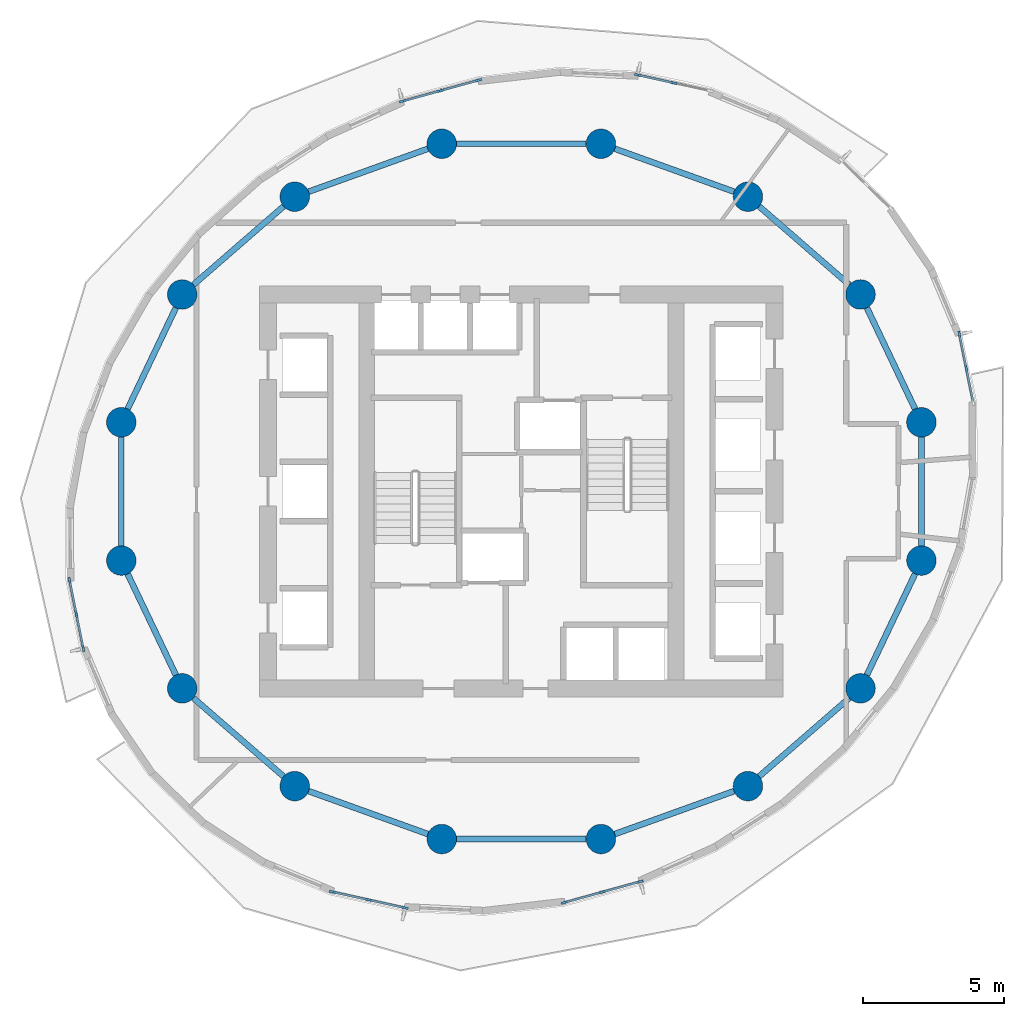
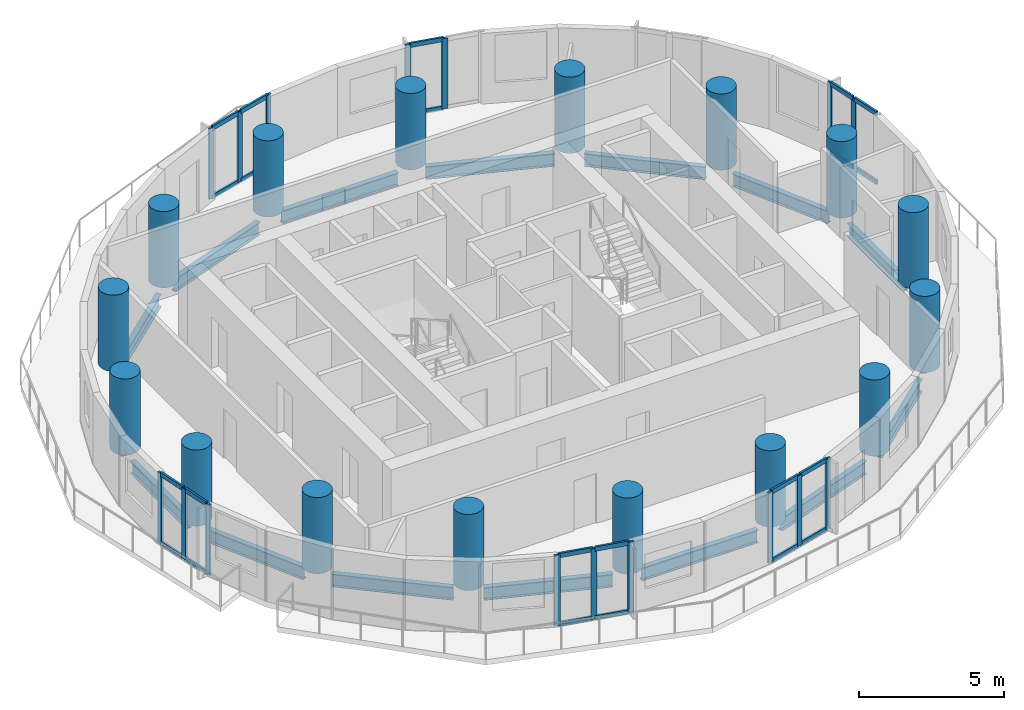
# One storey, part 1 of 11: 38 members, 16 beams, 16 columns, 6 elements without a shape of their own.
"""IFC4 building model written with IfcOpenShell, lengths in metres."""

from ifc_helpers import new_model, si_unit, direction, frame, origin, origin_2d, place, context, subcontext, project, spatial, rectangle, circle, i_section, extrude, material, material_profile, profile_set, type_object, element, aggregate, save


model = new_model("IFC4")

# Units and contexts
model_context = context("Model", 3, precision=1e-05, world=origin(), true_north=direction((0.0, 1.0)))
body_context = subcontext(model_context, "Body", "Model", "MODEL_VIEW")
ifc_project = project(units=[si_unit("LENGTHUNIT", "METRE"), si_unit("AREAUNIT", "SQUARE_METRE"), si_unit("VOLUMEUNIT", "CUBIC_METRE"), si_unit("PLANEANGLEUNIT", "RADIAN"), si_unit("MASSUNIT", "GRAM", prefix="KILO")], contexts=[model_context])

# Site, building, storey
site_placement = place(None, origin())
site = spatial("IfcSite", under=ifc_project, at=site_placement, CompositionType="ELEMENT")
building_placement = place(site_placement, origin())
building = spatial("IfcBuilding", under=site, at=building_placement, Name="Veldorim Arch Residences", CompositionType="ELEMENT")
storey_placement = place(building_placement, frame((0.0, 0.0, 116.9599609375)))
storey = spatial("IfcBuildingStorey", under=building, at=storey_placement, Name="L34", CompositionType="ELEMENT", Elevation=116.9599609375)

# Columns
ifc_material_1 = material(Name="Concrete C50/60", Category="concrete")
ifc_material_profile_1 = material_profile(ifc_material_1, circle(Radius=0.52490234375, at=origin_2d()), Name="RC_CIRC_1050")
ifc_profile_set_1 = profile_set([ifc_material_profile_1], Name="Concrete C50/60")
column_type = type_object("IfcColumnType", Name="Structural Column RC_CIRC_1050", PredefinedType="COLUMN", material=ifc_profile_set_1)
for number, where, z_axis, x_axis, name in (
    (1, (46.221435546875, 26.4580078125, 0.0), (0.0, 0.0, 1.0), (1.0, 0.0, 0.0), "L34 TC-Z3-01 perimeter column"),
    (2, (44.056396484375, 31.000244140625, 0.0), (0.0, 0.0, 1.0), (1.0, 0.0, 0.0), "L34 TC-Z3-02 perimeter column"),
    (3, (40.055908203125, 34.4765625, 0.0), (0.0, 0.0, 1.0), (1.0, 0.0, 0.0), "L34 TC-Z3-03 perimeter column"),
    (4, (34.828857421875, 36.35791015625, 0.0), (0.0, 0.0, 1.0), (1.0, 0.0, 0.0), "L34 TC-Z3-04 perimeter column"),
    (5, (29.171142578125, 36.35791015625, 0.0), (0.0, 0.0, 1.0), (1.0, 0.0, 0.0), "L34 TC-Z3-05 perimeter column"),
    (6, (23.944091796875, 34.4765625, 0.0), (0.0, 0.0, 1.0), (1.0, 0.0, 0.0), "L34 TC-Z3-06 perimeter column"),
    (7, (19.943603515625, 31.000244140625, 0.0), (0.0, 0.0, 1.0), (1.0, 0.0, 0.0), "L34 TC-Z3-07 perimeter column"),
    (8, (17.778564453125, 26.4580078125, 0.0), (0.0, 0.0, 1.0), (1.0, 0.0, 0.0), "L34 TC-Z3-08 perimeter column"),
    (9, (17.778564453125, 21.5419921875, 0.0), (0.0, 0.0, 1.0), (1.0, 0.0, 0.0), "L34 TC-Z3-09 perimeter column"),
    (10, (19.943603515625, 16.999755859375, 0.0), (0.0, 0.0, 1.0), (1.0, 0.0, 0.0), "L34 TC-Z3-10 perimeter column"),
    (11, (23.944091796875, 13.5234375, 0.0), (0.0, 0.0, 1.0), (1.0, 0.0, 0.0), "L34 TC-Z3-11 perimeter column"),
    (12, (29.171142578125, 11.64208984375, 0.0), (0.0, 0.0, 1.0), (1.0, 0.0, 0.0), "L34 TC-Z3-12 perimeter column"),
    (13, (34.828857421875, 11.64208984375, 0.0), (0.0, 0.0, 1.0), (1.0, 0.0, 0.0), "L34 TC-Z3-13 perimeter column"),
    (14, (40.055908203125, 13.5234375, 0.0), (0.0, 0.0, 1.0), (1.0, 0.0, 0.0), "L34 TC-Z3-14 perimeter column"),
    (15, (44.056396484375, 16.999755859375, 0.0), (0.0, 0.0, 1.0), (1.0, 0.0, 0.0), "L34 TC-Z3-15 perimeter column"),
    (16, (46.221435546875, 21.5419921875, 0.0), (0.0, 0.0, 1.0), (1.0, 0.0, 0.0), "L34 TC-Z3-16 perimeter column"),
):
    element("IfcColumn", number, at=place(storey_placement, frame(where, z_axis=z_axis, x_axis=x_axis)), inside=storey, type_object=column_type, Name=name, PredefinedType="COLUMN", context=body_context, shape_type="SweptSolid", body=[
        extrude(circle(Radius=0.52490234375, at=origin_2d()), origin(), (0.0, 0.0, 1.0), 3.199951171875),
    ])

# Curtain wall, members
ifc_material_2 = material(Name="Aluminium", Category="aluminium")
curtain_wall_type = type_object("IfcCurtainWallType", Name="Sky Lounge & Conservatory Tall Curtain Wall", PredefinedType="NOTDEFINED", material=ifc_material_2)
curtain_wall_1_placement = place(storey_placement, origin())
curtain_wall_1 = element("IfcCurtainWall", 17, at=curtain_wall_1_placement, inside=storey, type_object=curtain_wall_type, Name="L34 unitised curtain wall bay 05", PredefinedType="NOTDEFINED")
ifc_material_3 = material(Name="Aluminium", Category="aluminium")
ifc_material_profile_2 = material_profile(ifc_material_3, rectangle(XDim=0.080078125, YDim=0.219970703125, at=origin_2d()), Name="ALU_MUL_80x220")
ifc_profile_set_2 = profile_set([ifc_material_profile_2], Name="Aluminium")
member_type_1 = type_object("IfcMemberType", Name="Sky Lounge & Conservatory Tall Curtain Wall Mullion 80x220", PredefinedType="MULLION", material=ifc_profile_set_2)
member_1_placement = place(storey_placement, frame((36.13037109375, 38.804931640625, 0.0), z_axis=(0.0, 0.0, 1.0), x_axis=(0.215536644615, 0.976495752591, 0.0)))
member_1 = element("IfcMember", 18, at=member_1_placement, type_object=member_type_1, Name="CW-SKY mullion 1", PredefinedType="MULLION", context=body_context, shape_type="SweptSolid", body=[
    extrude(rectangle(XDim=0.080078125, YDim=0.219970703125, at=origin_2d()), origin(), (0.0, 0.0, 1.0), 2.9599609375),
])
member_2_placement = place(storey_placement, frame((37.423095703125, 38.51953125, 0.0), z_axis=(0.0, 0.0, 1.0), x_axis=(0.215536644615, 0.976495752591, 0.0)))
member_2 = element("IfcMember", 19, at=member_2_placement, type_object=member_type_1, Name="CW-SKY mullion 2", PredefinedType="MULLION", context=body_context, shape_type="SweptSolid", body=[
    extrude(rectangle(XDim=0.080078125, YDim=0.219970703125, at=origin_2d()), origin(), (0.0, 0.0, 1.0), 2.9599609375),
])

curtain_wall_2_placement = place(storey_placement, origin())
curtain_wall_2 = element("IfcCurtainWall", 20, at=curtain_wall_2_placement, inside=storey, type_object=curtain_wall_type, Name="L34 unitised curtain wall bay 08", PredefinedType="NOTDEFINED")
member_3_placement = place(storey_placement, frame((27.7734375, 37.869873046875, 0.0), z_axis=(0.0, 0.0, 1.0), x_axis=(-0.266325217262, 0.963883228742, 0.0)))
member_3 = element("IfcMember", 21, at=member_3_placement, type_object=member_type_1, Name="CW-SKY mullion 1", PredefinedType="MULLION", context=body_context, shape_type="SweptSolid", body=[
    extrude(rectangle(XDim=0.080078125, YDim=0.219970703125, at=origin_2d()), origin(), (0.0, 0.0, 1.0), 2.9599609375),
])
member_4_placement = place(storey_placement, frame((29.126220703125, 38.24365234375, 0.0), z_axis=(0.0, 0.0, 1.0), x_axis=(-0.266325217262, 0.963883228742, 0.0)))
member_4 = element("IfcMember", 22, at=member_4_placement, type_object=member_type_1, Name="CW-SKY mullion 2", PredefinedType="MULLION", context=body_context, shape_type="SweptSolid", body=[
    extrude(rectangle(XDim=0.080078125, YDim=0.219970703125, at=origin_2d()), origin(), (0.0, 0.0, 1.0), 2.9599609375),
])
member_5_placement = place(storey_placement, frame((30.47900390625, 38.617431640625, 0.0), z_axis=(0.0, 0.0, 1.0), x_axis=(-0.266325217262, 0.963883228742, 0.0)))
member_5 = element("IfcMember", 23, at=member_5_placement, type_object=member_type_1, Name="CW-SKY mullion 3", PredefinedType="MULLION", context=body_context, shape_type="SweptSolid", body=[
    extrude(rectangle(XDim=0.080078125, YDim=0.219970703125, at=origin_2d()), origin(), (0.0, 0.0, 1.0), 2.9599609375),
])

curtain_wall_3_placement = place(storey_placement, origin())
curtain_wall_3 = element("IfcCurtainWall", 24, at=curtain_wall_3_placement, inside=storey, type_object=curtain_wall_type, Name="L34 unitised curtain wall bay 17", PredefinedType="NOTDEFINED")
member_6_placement = place(storey_placement, frame((16.4296875, 18.408935546875, 0.0), z_axis=(0.0, 0.0, 1.0), x_axis=(-0.980165051786, -0.19818292373, 0.0)))
member_6 = element("IfcMember", 25, at=member_6_placement, type_object=member_type_1, Name="CW-SKY mullion 1", PredefinedType="MULLION", context=body_context, shape_type="SweptSolid", body=[
    extrude(rectangle(XDim=0.080078125, YDim=0.219970703125, at=origin_2d()), origin(), (0.0, 0.0, 1.0), 2.9599609375),
])
member_7_placement = place(storey_placement, frame((16.18408203125, 19.62353515625, 0.0), z_axis=(0.0, 0.0, 1.0), x_axis=(-0.980165051786, -0.19818292373, 0.0)))
member_7 = element("IfcMember", 26, at=member_7_placement, type_object=member_type_1, Name="CW-SKY mullion 2", PredefinedType="MULLION", context=body_context, shape_type="SweptSolid", body=[
    extrude(rectangle(XDim=0.080078125, YDim=0.219970703125, at=origin_2d()), origin(), (0.0, 0.0, 1.0), 2.9599609375),
])
member_8_placement = place(storey_placement, frame((15.938720703125, 20.837890625, 0.0), z_axis=(0.0, 0.0, 1.0), x_axis=(-0.980165051786, -0.19818292373, 0.0)))
member_8 = element("IfcMember", 27, at=member_8_placement, type_object=member_type_1, Name="CW-SKY mullion 3", PredefinedType="MULLION", context=body_context, shape_type="SweptSolid", body=[
    extrude(rectangle(XDim=0.080078125, YDim=0.219970703125, at=origin_2d()), origin(), (0.0, 0.0, 1.0), 2.9599609375),
])

curtain_wall_4_placement = place(storey_placement, origin())
curtain_wall_4 = element("IfcCurtainWall", 28, at=curtain_wall_4_placement, inside=storey, type_object=curtain_wall_type, Name="L34 unitised curtain wall bay 23", PredefinedType="NOTDEFINED")
member_9_placement = place(storey_placement, frame((27.86962890625, 9.195068359375, 0.0), z_axis=(0.0, 0.0, 1.0), x_axis=(-0.215536644615, -0.976495752591, 0.0)))
member_9 = element("IfcMember", 29, at=member_9_placement, type_object=member_type_1, Name="CW-SKY mullion 1", PredefinedType="MULLION", context=body_context, shape_type="SweptSolid", body=[
    extrude(rectangle(XDim=0.080078125, YDim=0.219970703125, at=origin_2d()), origin(), (0.0, 0.0, 1.0), 2.9599609375),
])
member_10_placement = place(storey_placement, frame((26.576904296875, 9.48046875, 0.0), z_axis=(0.0, 0.0, 1.0), x_axis=(-0.215536644615, -0.976495752591, 0.0)))
member_10 = element("IfcMember", 30, at=member_10_placement, type_object=member_type_1, Name="CW-SKY mullion 2", PredefinedType="MULLION", context=body_context, shape_type="SweptSolid", body=[
    extrude(rectangle(XDim=0.080078125, YDim=0.219970703125, at=origin_2d()), origin(), (0.0, 0.0, 1.0), 2.9599609375),
])
member_11_placement = place(storey_placement, frame((25.2841796875, 9.765625, 0.0), z_axis=(0.0, 0.0, 1.0), x_axis=(-0.215536644615, -0.976495752591, 0.0)))
member_11 = element("IfcMember", 31, at=member_11_placement, type_object=member_type_1, Name="CW-SKY mullion 3", PredefinedType="MULLION", context=body_context, shape_type="SweptSolid", body=[
    extrude(rectangle(XDim=0.080078125, YDim=0.219970703125, at=origin_2d()), origin(), (0.0, 0.0, 1.0), 2.9599609375),
])

curtain_wall_5_placement = place(storey_placement, origin())
curtain_wall_5 = element("IfcCurtainWall", 32, at=curtain_wall_5_placement, inside=storey, type_object=curtain_wall_type, Name="L34 unitised curtain wall bay 26", PredefinedType="NOTDEFINED")
member_12_placement = place(storey_placement, frame((36.2265625, 10.130126953125, 0.0), z_axis=(0.0, 0.0, 1.0), x_axis=(0.266325217262, -0.963883228742, 0.0)))
member_12 = element("IfcMember", 33, at=member_12_placement, type_object=member_type_1, Name="CW-SKY mullion 1", PredefinedType="MULLION", context=body_context, shape_type="SweptSolid", body=[
    extrude(rectangle(XDim=0.080078125, YDim=0.219970703125, at=origin_2d()), origin(), (0.0, 0.0, 1.0), 2.9599609375),
])
member_13_placement = place(storey_placement, frame((34.873779296875, 9.75634765625, 0.0), z_axis=(0.0, 0.0, 1.0), x_axis=(0.266325217262, -0.963883228742, 0.0)))
member_13 = element("IfcMember", 34, at=member_13_placement, type_object=member_type_1, Name="CW-SKY mullion 2", PredefinedType="MULLION", context=body_context, shape_type="SweptSolid", body=[
    extrude(rectangle(XDim=0.080078125, YDim=0.219970703125, at=origin_2d()), origin(), (0.0, 0.0, 1.0), 2.9599609375),
])
member_14_placement = place(storey_placement, frame((33.52099609375, 9.382568359375, 0.0), z_axis=(0.0, 0.0, 1.0), x_axis=(0.266325217262, -0.963883228742, 0.0)))
member_14 = element("IfcMember", 35, at=member_14_placement, type_object=member_type_1, Name="CW-SKY mullion 3", PredefinedType="MULLION", context=body_context, shape_type="SweptSolid", body=[
    extrude(rectangle(XDim=0.080078125, YDim=0.219970703125, at=origin_2d()), origin(), (0.0, 0.0, 1.0), 2.9599609375),
])

curtain_wall_6_placement = place(storey_placement, origin())
curtain_wall_6 = element("IfcCurtainWall", 36, at=curtain_wall_6_placement, inside=storey, type_object=curtain_wall_type, Name="L34 unitised curtain wall bay 35", PredefinedType="NOTDEFINED")
member_15_placement = place(storey_placement, frame((47.5703125, 29.591064453125, 0.0), z_axis=(0.0, 0.0, 1.0), x_axis=(0.980165051786, 0.19818292373, 0.0)))
member_15 = element("IfcMember", 37, at=member_15_placement, type_object=member_type_1, Name="CW-SKY mullion 1", PredefinedType="MULLION", context=body_context, shape_type="SweptSolid", body=[
    extrude(rectangle(XDim=0.080078125, YDim=0.219970703125, at=origin_2d()), origin(), (0.0, 0.0, 1.0), 2.9599609375),
])
member_16_placement = place(storey_placement, frame((47.81591796875, 28.37646484375, 0.0), z_axis=(0.0, 0.0, 1.0), x_axis=(0.980165051786, 0.19818292373, 0.0)))
member_16 = element("IfcMember", 38, at=member_16_placement, type_object=member_type_1, Name="CW-SKY mullion 2", PredefinedType="MULLION", context=body_context, shape_type="SweptSolid", body=[
    extrude(rectangle(XDim=0.080078125, YDim=0.219970703125, at=origin_2d()), origin(), (0.0, 0.0, 1.0), 2.9599609375),
])

# Member
ifc_material_4 = material(Name="Aluminium", Category="aluminium")
ifc_material_profile_3 = material_profile(ifc_material_4, rectangle(XDim=0.080078125, YDim=0.18505859375, at=origin_2d()), Name="ALU_TRN_80x185")
ifc_profile_set_3 = profile_set([ifc_material_profile_3], Name="Aluminium")
member_type_2 = type_object("IfcMemberType", Name="Sky Lounge & Conservatory Tall Curtain Wall Transom 80x185", PredefinedType="USERDEFINED", material=ifc_profile_set_3)
member_17_placement = place(storey_placement, frame((36.16943359375, 38.79638671875, 0.0400390625), z_axis=(0.976500087499, -0.215517004236, 0.0), x_axis=(0.215517004236, 0.976500087499, 0.0)))
member_17 = element("IfcMember", 39, at=member_17_placement, type_object=member_type_2, Name="CW-SKY transom 1.1", ObjectType="TRANSOM", PredefinedType="USERDEFINED", context=body_context, shape_type="SweptSolid", body=[
    extrude(rectangle(XDim=0.080078125, YDim=0.18505859375, at=origin_2d()), origin(), (0.0, 0.0, 1.0), 1.243896484375),
])

member_18_placement = place(storey_placement, frame((36.16943359375, 38.79638671875, 2.919921875), z_axis=(0.976500087499, -0.215517004236, 0.0), x_axis=(0.215517004236, 0.976500087499, 0.0)))
member_18 = element("IfcMember", 40, at=member_18_placement, type_object=member_type_2, Name="CW-SKY transom 1.2", ObjectType="TRANSOM", PredefinedType="USERDEFINED", context=body_context, shape_type="SweptSolid", body=[
    extrude(rectangle(XDim=0.080078125, YDim=0.18505859375, at=origin_2d()), origin(), (0.0, 0.0, 1.0), 1.243896484375),
])

aggregate(curtain_wall_1, [member_1, member_2, member_17, member_18])

member_19_placement = place(storey_placement, frame((27.81201171875, 37.88037109375, 0.0400390625), z_axis=(0.963868580645, 0.266378225924, 0.0), x_axis=(-0.266378225924, 0.963868580645, 0.0)))
member_19 = element("IfcMember", 41, at=member_19_placement, type_object=member_type_2, Name="CW-SKY transom 1.1", ObjectType="TRANSOM", PredefinedType="USERDEFINED", context=body_context, shape_type="SweptSolid", body=[
    extrude(rectangle(XDim=0.080078125, YDim=0.18505859375, at=origin_2d()), origin(), (0.0, 0.0, 1.0), 1.323486328125),
])

member_20_placement = place(storey_placement, frame((27.81201171875, 37.88037109375, 2.919921875), z_axis=(0.963868580645, 0.266378225924, 0.0), x_axis=(-0.266378225924, 0.963868580645, 0.0)))
member_20 = element("IfcMember", 42, at=member_20_placement, type_object=member_type_2, Name="CW-SKY transom 1.2", ObjectType="TRANSOM", PredefinedType="USERDEFINED", context=body_context, shape_type="SweptSolid", body=[
    extrude(rectangle(XDim=0.080078125, YDim=0.18505859375, at=origin_2d()), origin(), (0.0, 0.0, 1.0), 1.323486328125),
])

member_21_placement = place(storey_placement, frame((29.164794921875, 38.254150390625, 0.0400390625), z_axis=(0.963868580645, 0.266378225924, 0.0), x_axis=(-0.266378225924, 0.963868580645, 0.0)))
member_21 = element("IfcMember", 43, at=member_21_placement, type_object=member_type_2, Name="CW-SKY transom 2.1", ObjectType="TRANSOM", PredefinedType="USERDEFINED", context=body_context, shape_type="SweptSolid", body=[
    extrude(rectangle(XDim=0.080078125, YDim=0.18505859375, at=origin_2d()), origin(), (0.0, 0.0, 1.0), 1.323486328125),
])

member_22_placement = place(storey_placement, frame((29.164794921875, 38.254150390625, 2.919921875), z_axis=(0.963868580645, 0.266378225924, 0.0), x_axis=(-0.266378225924, 0.963868580645, 0.0)))
member_22 = element("IfcMember", 44, at=member_22_placement, type_object=member_type_2, Name="CW-SKY transom 2.2", ObjectType="TRANSOM", PredefinedType="USERDEFINED", context=body_context, shape_type="SweptSolid", body=[
    extrude(rectangle(XDim=0.080078125, YDim=0.18505859375, at=origin_2d()), origin(), (0.0, 0.0, 1.0), 1.323486328125),
])

aggregate(curtain_wall_2, [member_3, member_4, member_5, member_19, member_20, member_21, member_22])

member_23_placement = place(storey_placement, frame((16.421875, 18.447998046875, 0.0400390625), z_axis=(-0.198181269545, 0.98016538625, 0.0), x_axis=(-0.98016538625, -0.198181269545, 0.0)))
member_23 = element("IfcMember", 45, at=member_23_placement, type_object=member_type_2, Name="CW-SKY transom 1.1", ObjectType="TRANSOM", PredefinedType="USERDEFINED", context=body_context, shape_type="SweptSolid", body=[
    extrude(rectangle(XDim=0.080078125, YDim=0.18505859375, at=origin_2d()), origin(), (0.0, 0.0, 1.0), 1.1591796875),
])

member_24_placement = place(storey_placement, frame((16.421875, 18.447998046875, 2.919921875), z_axis=(-0.198181269545, 0.98016538625, 0.0), x_axis=(-0.98016538625, -0.198181269545, 0.0)))
member_24 = element("IfcMember", 46, at=member_24_placement, type_object=member_type_2, Name="CW-SKY transom 1.2", ObjectType="TRANSOM", PredefinedType="USERDEFINED", context=body_context, shape_type="SweptSolid", body=[
    extrude(rectangle(XDim=0.080078125, YDim=0.18505859375, at=origin_2d()), origin(), (0.0, 0.0, 1.0), 1.1591796875),
])

member_25_placement = place(storey_placement, frame((16.17626953125, 19.66259765625, 0.0400390625), z_axis=(-0.198181269545, 0.98016538625, 0.0), x_axis=(-0.98016538625, -0.198181269545, 0.0)))
member_25 = element("IfcMember", 47, at=member_25_placement, type_object=member_type_2, Name="CW-SKY transom 2.1", ObjectType="TRANSOM", PredefinedType="USERDEFINED", context=body_context, shape_type="SweptSolid", body=[
    extrude(rectangle(XDim=0.080078125, YDim=0.18505859375, at=origin_2d()), origin(), (0.0, 0.0, 1.0), 1.1591796875),
])

member_26_placement = place(storey_placement, frame((16.17626953125, 19.66259765625, 2.919921875), z_axis=(-0.198181269545, 0.98016538625, 0.0), x_axis=(-0.98016538625, -0.198181269545, 0.0)))
member_26 = element("IfcMember", 48, at=member_26_placement, type_object=member_type_2, Name="CW-SKY transom 2.2", ObjectType="TRANSOM", PredefinedType="USERDEFINED", context=body_context, shape_type="SweptSolid", body=[
    extrude(rectangle(XDim=0.080078125, YDim=0.18505859375, at=origin_2d()), origin(), (0.0, 0.0, 1.0), 1.1591796875),
])

aggregate(curtain_wall_3, [member_6, member_7, member_8, member_23, member_24, member_25, member_26])

member_27_placement = place(storey_placement, frame((27.83056640625, 9.20361328125, 0.0400390625), z_axis=(-0.976500087499, 0.215517004236, 0.0), x_axis=(-0.215517004236, -0.976500087499, 0.0)))
member_27 = element("IfcMember", 49, at=member_27_placement, type_object=member_type_2, Name="CW-SKY transom 1.1", ObjectType="TRANSOM", PredefinedType="USERDEFINED", context=body_context, shape_type="SweptSolid", body=[
    extrude(rectangle(XDim=0.080078125, YDim=0.18505859375, at=origin_2d()), origin(), (0.0, 0.0, 1.0), 1.243896484375),
])

member_28_placement = place(storey_placement, frame((27.83056640625, 9.20361328125, 2.919921875), z_axis=(-0.976500087499, 0.215517004236, 0.0), x_axis=(-0.215517004236, -0.976500087499, 0.0)))
member_28 = element("IfcMember", 50, at=member_28_placement, type_object=member_type_2, Name="CW-SKY transom 1.2", ObjectType="TRANSOM", PredefinedType="USERDEFINED", context=body_context, shape_type="SweptSolid", body=[
    extrude(rectangle(XDim=0.080078125, YDim=0.18505859375, at=origin_2d()), origin(), (0.0, 0.0, 1.0), 1.243896484375),
])

member_29_placement = place(storey_placement, frame((26.537841796875, 9.489013671875, 0.0400390625), z_axis=(-0.976500087499, 0.215517004236, 0.0), x_axis=(-0.215517004236, -0.976500087499, 0.0)))
member_29 = element("IfcMember", 51, at=member_29_placement, type_object=member_type_2, Name="CW-SKY transom 2.1", ObjectType="TRANSOM", PredefinedType="USERDEFINED", context=body_context, shape_type="SweptSolid", body=[
    extrude(rectangle(XDim=0.080078125, YDim=0.18505859375, at=origin_2d()), origin(), (0.0, 0.0, 1.0), 1.243896484375),
])

member_30_placement = place(storey_placement, frame((26.537841796875, 9.489013671875, 2.919921875), z_axis=(-0.976500087499, 0.215517004236, 0.0), x_axis=(-0.215517004236, -0.976500087499, 0.0)))
member_30 = element("IfcMember", 52, at=member_30_placement, type_object=member_type_2, Name="CW-SKY transom 2.2", ObjectType="TRANSOM", PredefinedType="USERDEFINED", context=body_context, shape_type="SweptSolid", body=[
    extrude(rectangle(XDim=0.080078125, YDim=0.18505859375, at=origin_2d()), origin(), (0.0, 0.0, 1.0), 1.243896484375),
])

aggregate(curtain_wall_4, [member_9, member_10, member_11, member_27, member_28, member_29, member_30])

member_31_placement = place(storey_placement, frame((36.18798828125, 10.11962890625, 0.0400390625), z_axis=(-0.963868580645, -0.266378225924, 0.0), x_axis=(0.266378225924, -0.963868580645, 0.0)))
member_31 = element("IfcMember", 53, at=member_31_placement, type_object=member_type_2, Name="CW-SKY transom 1.1", ObjectType="TRANSOM", PredefinedType="USERDEFINED", context=body_context, shape_type="SweptSolid", body=[
    extrude(rectangle(XDim=0.080078125, YDim=0.18505859375, at=origin_2d()), origin(), (0.0, 0.0, 1.0), 1.323486328125),
])

member_32_placement = place(storey_placement, frame((36.18798828125, 10.11962890625, 2.919921875), z_axis=(-0.963868580645, -0.266378225924, 0.0), x_axis=(0.266378225924, -0.963868580645, 0.0)))
member_32 = element("IfcMember", 54, at=member_32_placement, type_object=member_type_2, Name="CW-SKY transom 1.2", ObjectType="TRANSOM", PredefinedType="USERDEFINED", context=body_context, shape_type="SweptSolid", body=[
    extrude(rectangle(XDim=0.080078125, YDim=0.18505859375, at=origin_2d()), origin(), (0.0, 0.0, 1.0), 1.323486328125),
])

member_33_placement = place(storey_placement, frame((34.835205078125, 9.745849609375, 0.0400390625), z_axis=(-0.963868580645, -0.266378225924, 0.0), x_axis=(0.266378225924, -0.963868580645, 0.0)))
member_33 = element("IfcMember", 55, at=member_33_placement, type_object=member_type_2, Name="CW-SKY transom 2.1", ObjectType="TRANSOM", PredefinedType="USERDEFINED", context=body_context, shape_type="SweptSolid", body=[
    extrude(rectangle(XDim=0.080078125, YDim=0.18505859375, at=origin_2d()), origin(), (0.0, 0.0, 1.0), 1.323486328125),
])

member_34_placement = place(storey_placement, frame((34.835205078125, 9.745849609375, 2.919921875), z_axis=(-0.963868580645, -0.266378225924, 0.0), x_axis=(0.266378225924, -0.963868580645, 0.0)))
member_34 = element("IfcMember", 56, at=member_34_placement, type_object=member_type_2, Name="CW-SKY transom 2.2", ObjectType="TRANSOM", PredefinedType="USERDEFINED", context=body_context, shape_type="SweptSolid", body=[
    extrude(rectangle(XDim=0.080078125, YDim=0.18505859375, at=origin_2d()), origin(), (0.0, 0.0, 1.0), 1.323486328125),
])

aggregate(curtain_wall_5, [member_12, member_13, member_14, member_31, member_32, member_33, member_34])

member_35_placement = place(storey_placement, frame((47.578125, 29.552001953125, 0.0400390625), z_axis=(0.198181269545, -0.98016538625, 0.0), x_axis=(0.98016538625, 0.198181269545, 0.0)))
member_35 = element("IfcMember", 57, at=member_35_placement, type_object=member_type_2, Name="CW-SKY transom 1.1", ObjectType="TRANSOM", PredefinedType="USERDEFINED", context=body_context, shape_type="SweptSolid", body=[
    extrude(rectangle(XDim=0.080078125, YDim=0.18505859375, at=origin_2d()), origin(), (0.0, 0.0, 1.0), 1.1591796875),
])

member_36_placement = place(storey_placement, frame((47.578125, 29.552001953125, 2.919921875), z_axis=(0.198181269545, -0.98016538625, 0.0), x_axis=(0.98016538625, 0.198181269545, 0.0)))
member_36 = element("IfcMember", 58, at=member_36_placement, type_object=member_type_2, Name="CW-SKY transom 1.2", ObjectType="TRANSOM", PredefinedType="USERDEFINED", context=body_context, shape_type="SweptSolid", body=[
    extrude(rectangle(XDim=0.080078125, YDim=0.18505859375, at=origin_2d()), origin(), (0.0, 0.0, 1.0), 1.1591796875),
])

member_37_placement = place(storey_placement, frame((47.82373046875, 28.33740234375, 0.0400390625), z_axis=(0.198181269545, -0.98016538625, 0.0), x_axis=(0.98016538625, 0.198181269545, 0.0)))
member_37 = element("IfcMember", 59, at=member_37_placement, type_object=member_type_2, Name="CW-SKY transom 2.1", ObjectType="TRANSOM", PredefinedType="USERDEFINED", context=body_context, shape_type="SweptSolid", body=[
    extrude(rectangle(XDim=0.080078125, YDim=0.18505859375, at=origin_2d()), origin(), (0.0, 0.0, 1.0), 1.1591796875),
])

member_38_placement = place(storey_placement, frame((47.82373046875, 28.33740234375, 2.919921875), z_axis=(0.198181269545, -0.98016538625, 0.0), x_axis=(0.98016538625, 0.198181269545, 0.0)))
member_38 = element("IfcMember", 60, at=member_38_placement, type_object=member_type_2, Name="CW-SKY transom 2.2", ObjectType="TRANSOM", PredefinedType="USERDEFINED", context=body_context, shape_type="SweptSolid", body=[
    extrude(rectangle(XDim=0.080078125, YDim=0.18505859375, at=origin_2d()), origin(), (0.0, 0.0, 1.0), 1.1591796875),
])

aggregate(curtain_wall_6, [member_15, member_16, member_35, member_36, member_37, member_38])

# Beams
ifc_material_5 = material(Name="Steel S355", Category="steel")
ifc_material_profile_4 = material_profile(ifc_material_5, i_section(OverallWidth=0.2099609375, OverallDepth=0.53662109375, WebThickness=0.0107421875, FlangeThickness=0.017333984375, at=origin_2d()), Name="UB533x210x101")
ifc_profile_set_4 = profile_set([ifc_material_profile_4], Name="Steel S355")
beam_type = type_object("IfcBeamType", Name="Structural Steel Beam UB533x210x101", PredefinedType="BEAM", material=ifc_profile_set_4)
beam_1_placement = place(storey_placement, frame((45.99560546875, 26.931884765625, -0.50830078125), z_axis=(-0.43028577851, 0.902692721147, 0.0), x_axis=(-0.902692721147, -0.43028577851, 0.0)))
element("IfcBeam", 61, at=beam_1_placement, inside=storey, type_object=beam_type, Name="L34 perimeter ring tie beam 01", PredefinedType="BEAM", context=body_context, shape_type="SweptSolid", body=[
    extrude(i_section(OverallWidth=0.2099609375, OverallDepth=0.53662109375, WebThickness=0.0107421875, FlangeThickness=0.017333984375, at=origin_2d()), origin(), (0.0, 0.0, 1.0), 3.98193359375),
])
beam_2_placement = place(storey_placement, frame((43.659912109375, 31.344482421875, -0.50830078125), z_axis=(-0.754810789581, 0.655942582802, 0.0), x_axis=(-0.655942582802, -0.754810789581, 0.0)))
element("IfcBeam", 62, at=beam_2_placement, inside=storey, type_object=beam_type, Name="L34 perimeter ring tie beam 02", PredefinedType="BEAM", context=body_context, shape_type="SweptSolid", body=[
    extrude(i_section(OverallWidth=0.2099609375, OverallDepth=0.53662109375, WebThickness=0.0107421875, FlangeThickness=0.017333984375, at=origin_2d()), origin(), (0.0, 0.0, 1.0), 4.249755859375),
])
beam_3_placement = place(storey_placement, frame((39.561767578125, 34.654296875, -0.50830078125), z_axis=(-0.940899155006, 0.338686846673, 0.0), x_axis=(-0.338686846673, -0.940899155006, 0.0)))
element("IfcBeam", 63, at=beam_3_placement, inside=storey, type_object=beam_type, Name="L34 perimeter ring tie beam 03", PredefinedType="BEAM", context=body_context, shape_type="SweptSolid", body=[
    extrude(i_section(OverallWidth=0.2099609375, OverallDepth=0.53662109375, WebThickness=0.0107421875, FlangeThickness=0.017333984375, at=origin_2d()), origin(), (0.0, 0.0, 1.0), 4.50537109375),
])
beam_4_placement = place(storey_placement, frame((34.3037109375, 36.35791015625, -0.50830078125), z_axis=(-1.0, 0.0, 0.0), x_axis=(0.0, -1.0, 0.0)))
element("IfcBeam", 64, at=beam_4_placement, inside=storey, type_object=beam_type, Name="L34 perimeter ring tie beam 04", PredefinedType="BEAM", context=body_context, shape_type="SweptSolid", body=[
    extrude(i_section(OverallWidth=0.2099609375, OverallDepth=0.53662109375, WebThickness=0.0107421875, FlangeThickness=0.017333984375, at=origin_2d()), origin(), (0.0, 0.0, 1.0), 4.607421875),
])
beam_5_placement = place(storey_placement, frame((28.67724609375, 36.18017578125, -0.50830078125), z_axis=(-0.940899155006, -0.338686846673, 0.0), x_axis=(0.338686846673, -0.940899155006, 0.0)))
element("IfcBeam", 65, at=beam_5_placement, inside=storey, type_object=beam_type, Name="L34 perimeter ring tie beam 05", PredefinedType="BEAM", context=body_context, shape_type="SweptSolid", body=[
    extrude(i_section(OverallWidth=0.2099609375, OverallDepth=0.53662109375, WebThickness=0.0107421875, FlangeThickness=0.017333984375, at=origin_2d()), origin(), (0.0, 0.0, 1.0), 4.50537109375),
])
beam_6_placement = place(storey_placement, frame((23.5478515625, 34.132080078125, -0.50830078125), z_axis=(-0.754810789581, -0.655942582802, 0.0), x_axis=(0.655942582802, -0.754810789581, 0.0)))
element("IfcBeam", 66, at=beam_6_placement, inside=storey, type_object=beam_type, Name="L34 perimeter ring tie beam 06", PredefinedType="BEAM", context=body_context, shape_type="SweptSolid", body=[
    extrude(i_section(OverallWidth=0.2099609375, OverallDepth=0.53662109375, WebThickness=0.0107421875, FlangeThickness=0.017333984375, at=origin_2d()), origin(), (0.0, 0.0, 1.0), 4.249755859375),
])
beam_7_placement = place(storey_placement, frame((19.7177734375, 30.5263671875, -0.50830078125), z_axis=(-0.43028577851, -0.902692721147, 0.0), x_axis=(0.902692721147, -0.43028577851, 0.0)))
element("IfcBeam", 67, at=beam_7_placement, inside=storey, type_object=beam_type, Name="L34 perimeter ring tie beam 07", PredefinedType="BEAM", context=body_context, shape_type="SweptSolid", body=[
    extrude(i_section(OverallWidth=0.2099609375, OverallDepth=0.53662109375, WebThickness=0.0107421875, FlangeThickness=0.017333984375, at=origin_2d()), origin(), (0.0, 0.0, 1.0), 3.98193359375),
])
beam_8_placement = place(storey_placement, frame((17.778564453125, 25.93310546875, -0.50830078125), z_axis=(0.0, -1.0, 0.0), x_axis=(1.0, 0.0, 0.0)))
element("IfcBeam", 68, at=beam_8_placement, inside=storey, type_object=beam_type, Name="L34 perimeter ring tie beam 08", PredefinedType="BEAM", context=body_context, shape_type="SweptSolid", body=[
    extrude(i_section(OverallWidth=0.2099609375, OverallDepth=0.53662109375, WebThickness=0.0107421875, FlangeThickness=0.017333984375, at=origin_2d()), origin(), (0.0, 0.0, 1.0), 3.8662109375),
])
beam_9_placement = place(storey_placement, frame((18.00439453125, 21.068115234375, -0.50830078125), z_axis=(0.43028577851, -0.902692721147, 0.0), x_axis=(0.902692721147, 0.43028577851, 0.0)))
element("IfcBeam", 69, at=beam_9_placement, inside=storey, type_object=beam_type, Name="L34 perimeter ring tie beam 09", PredefinedType="BEAM", context=body_context, shape_type="SweptSolid", body=[
    extrude(i_section(OverallWidth=0.2099609375, OverallDepth=0.53662109375, WebThickness=0.0107421875, FlangeThickness=0.017333984375, at=origin_2d()), origin(), (0.0, 0.0, 1.0), 3.98193359375),
])
beam_10_placement = place(storey_placement, frame((20.340087890625, 16.655517578125, -0.50830078125), z_axis=(0.754810789581, -0.655942582802, 0.0), x_axis=(0.655942582802, 0.754810789581, 0.0)))
element("IfcBeam", 70, at=beam_10_placement, inside=storey, type_object=beam_type, Name="L34 perimeter ring tie beam 10", PredefinedType="BEAM", context=body_context, shape_type="SweptSolid", body=[
    extrude(i_section(OverallWidth=0.2099609375, OverallDepth=0.53662109375, WebThickness=0.0107421875, FlangeThickness=0.017333984375, at=origin_2d()), origin(), (0.0, 0.0, 1.0), 4.249755859375),
])
beam_11_placement = place(storey_placement, frame((24.438232421875, 13.345703125, -0.50830078125), z_axis=(0.940899155006, -0.338686846673, 0.0), x_axis=(0.338686846673, 0.940899155006, 0.0)))
element("IfcBeam", 71, at=beam_11_placement, inside=storey, type_object=beam_type, Name="L34 perimeter ring tie beam 11", PredefinedType="BEAM", context=body_context, shape_type="SweptSolid", body=[
    extrude(i_section(OverallWidth=0.2099609375, OverallDepth=0.53662109375, WebThickness=0.0107421875, FlangeThickness=0.017333984375, at=origin_2d()), origin(), (0.0, 0.0, 1.0), 4.50537109375),
])
beam_12_placement = place(storey_placement, frame((29.6962890625, 11.64208984375, -0.50830078125), z_axis=(1.0, 0.0, 0.0), x_axis=(0.0, 1.0, 0.0)))
element("IfcBeam", 72, at=beam_12_placement, inside=storey, type_object=beam_type, Name="L34 perimeter ring tie beam 12", PredefinedType="BEAM", context=body_context, shape_type="SweptSolid", body=[
    extrude(i_section(OverallWidth=0.2099609375, OverallDepth=0.53662109375, WebThickness=0.0107421875, FlangeThickness=0.017333984375, at=origin_2d()), origin(), (0.0, 0.0, 1.0), 4.607421875),
])
beam_13_placement = place(storey_placement, frame((35.32275390625, 11.81982421875, -0.50830078125), z_axis=(0.940899155006, 0.338686846673, 0.0), x_axis=(-0.338686846673, 0.940899155006, 0.0)))
element("IfcBeam", 73, at=beam_13_placement, inside=storey, type_object=beam_type, Name="L34 perimeter ring tie beam 13", PredefinedType="BEAM", context=body_context, shape_type="SweptSolid", body=[
    extrude(i_section(OverallWidth=0.2099609375, OverallDepth=0.53662109375, WebThickness=0.0107421875, FlangeThickness=0.017333984375, at=origin_2d()), origin(), (0.0, 0.0, 1.0), 4.50537109375),
])
beam_14_placement = place(storey_placement, frame((40.4521484375, 13.867919921875, -0.50830078125), z_axis=(0.754810789581, 0.655942582802, 0.0), x_axis=(-0.655942582802, 0.754810789581, 0.0)))
element("IfcBeam", 74, at=beam_14_placement, inside=storey, type_object=beam_type, Name="L34 perimeter ring tie beam 14", PredefinedType="BEAM", context=body_context, shape_type="SweptSolid", body=[
    extrude(i_section(OverallWidth=0.2099609375, OverallDepth=0.53662109375, WebThickness=0.0107421875, FlangeThickness=0.017333984375, at=origin_2d()), origin(), (0.0, 0.0, 1.0), 4.249755859375),
])
beam_15_placement = place(storey_placement, frame((44.2822265625, 17.4736328125, -0.50830078125), z_axis=(0.43028577851, 0.902692721147, 0.0), x_axis=(-0.902692721147, 0.43028577851, 0.0)))
element("IfcBeam", 75, at=beam_15_placement, inside=storey, type_object=beam_type, Name="L34 perimeter ring tie beam 15", PredefinedType="BEAM", context=body_context, shape_type="SweptSolid", body=[
    extrude(i_section(OverallWidth=0.2099609375, OverallDepth=0.53662109375, WebThickness=0.0107421875, FlangeThickness=0.017333984375, at=origin_2d()), origin(), (0.0, 0.0, 1.0), 3.98193359375),
])
beam_16_placement = place(storey_placement, frame((46.221435546875, 22.06689453125, -0.50830078125), z_axis=(0.0, 1.0, 0.0), x_axis=(-1.0, 0.0, 0.0)))
element("IfcBeam", 76, at=beam_16_placement, inside=storey, type_object=beam_type, Name="L34 perimeter ring tie beam 16", PredefinedType="BEAM", context=body_context, shape_type="SweptSolid", body=[
    extrude(i_section(OverallWidth=0.2099609375, OverallDepth=0.53662109375, WebThickness=0.0107421875, FlangeThickness=0.017333984375, at=origin_2d()), origin(), (0.0, 0.0, 1.0), 3.8662109375),
])

save(model, "model.ifc")
